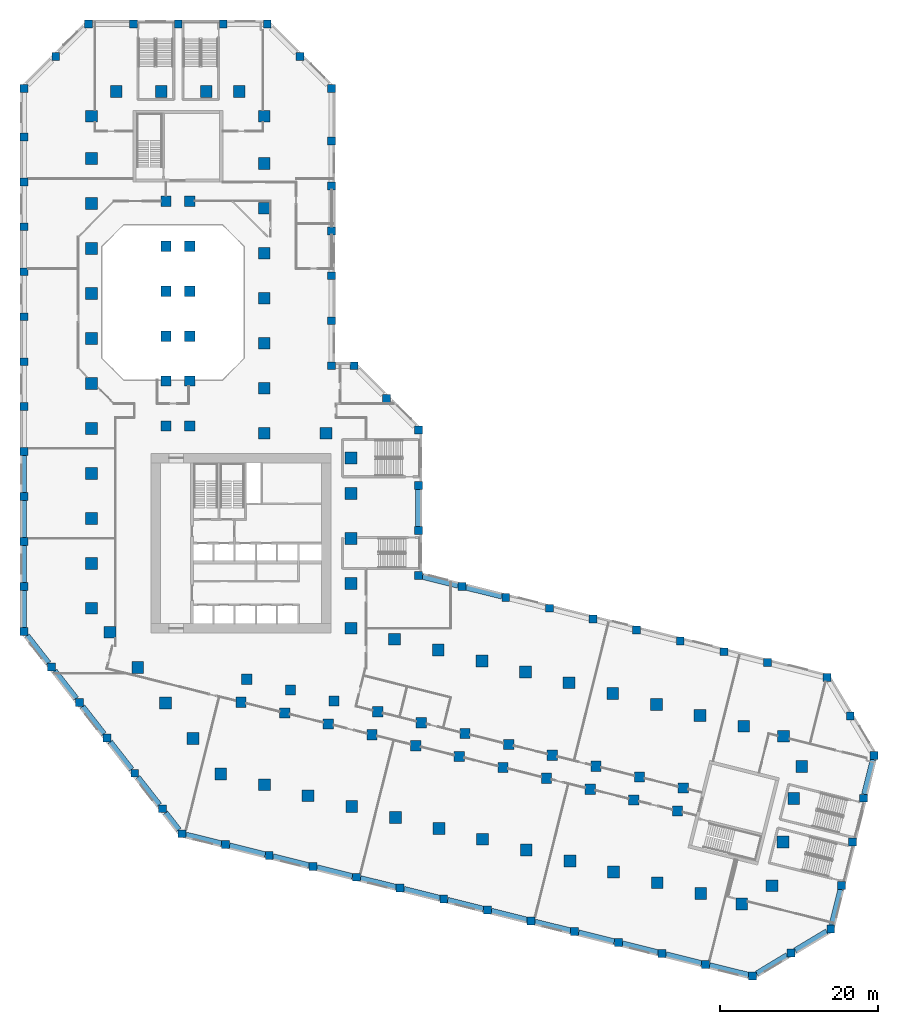
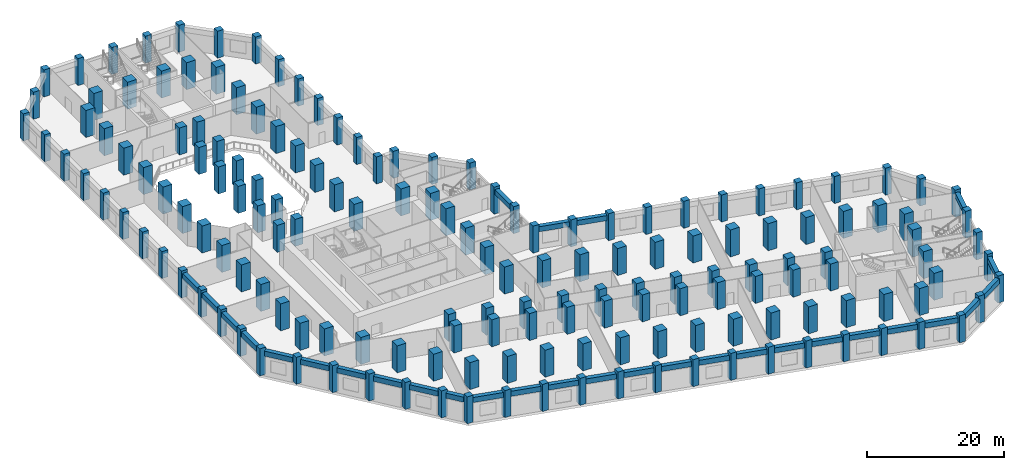
# One storey, part 1 of 16: 163 columns, 30 beams.
"""IFC4 building model written with IfcOpenShell, lengths in metres."""

import ifcopenshell
import ifcopenshell.guid

model = None  # the IFC model being written
_history = None  # IfcOwnerHistory: only IFC2X3 demands one
_inside = {}  # id of a spatial element -> (the spatial element, [elements in it])
_under = {}  # id of a project, library or spatial element -> (it, [spatial elements below it])
_declared = {}  # id of a project -> (the project, [libraries it declares])
_typed = {}  # id of a type object -> (the type object, [elements of that type])
_made_of = {}  # id of a material, layer set ... -> (it, [elements and type objects made of it])


def new_model(schema):
    """Start an empty IFC model of exactly this schema.

    Asked for "IFC4X3", IfcOpenShell would pick the latest addendum, in which some entities
    have other attributes; the version numbers below select the first issue.
    IFC2X3 requires an IfcOwnerHistory on every rooted entity: one is made here for all.
    """
    global model, _history
    if schema == "IFC4X3":
        model = ifcopenshell.file(schema_version=(4, 3, 0, 0))
    else:
        model = ifcopenshell.file(schema=schema)
    _inside.clear()
    _under.clear()
    _declared.clear()
    _typed.clear()
    _made_of.clear()
    _history = None
    if model.schema == "IFC2X3":
        org = make("IfcOrganization", Name="unknown")
        user = make(
            "IfcPersonAndOrganization",
            ThePerson=make("IfcPerson", FamilyName="unknown"),
            TheOrganization=org,
        )
        app = make(
            "IfcApplication",
            ApplicationDeveloper=org,
            Version="unknown",
            ApplicationFullName="unknown",
            ApplicationIdentifier="unknown",
        )
        _history = make(
            "IfcOwnerHistory",
            OwningUser=user,
            OwningApplication=app,
            ChangeAction="ADDED",
            CreationDate=0,
        )
    return model


def make(cls, **values):
    """One entity of the class cls with the attributes given. An attribute that is None is left unset."""
    return model.create_entity(
        cls, **{name: value for name, value in values.items() if value is not None}
    )


def rooted(cls, **values):
    """An entity with a GlobalId (a new one), such as an element, a storey or a relation."""
    return make(cls, GlobalId=ifcopenshell.guid.new(), OwnerHistory=_history, **values)


def si_unit(unit_type, name, prefix=None):
    """IfcSIUnit, for example si_unit("LENGTHUNIT", "METRE", prefix="MILLI")."""
    return make("IfcSIUnit", UnitType=unit_type, Prefix=prefix, Name=name)


def assignment(units):
    """IfcUnitAssignment: the units of a project."""
    return None if units is None else make("IfcUnitAssignment", Units=units)


def point(xyz):
    """IfcCartesianPoint."""
    return None if xyz is None else make("IfcCartesianPoint", Coordinates=xyz)


def direction(xyz):
    """IfcDirection."""
    return None if xyz is None else make("IfcDirection", DirectionRatios=xyz)


def frame(location, z_axis=None, x_axis=None):
    """IfcAxis2Placement3D, a coordinate frame: its origin and axes. An axis left out is left unset."""
    return make(
        "IfcAxis2Placement3D",
        Location=point(location),
        Axis=direction(z_axis),
        RefDirection=direction(x_axis),
    )


def frame_2d(location, x_axis=None):
    """IfcAxis2Placement2D, a coordinate frame in the plane: its origin and x axis."""
    return make(
        "IfcAxis2Placement2D", Location=point(location), RefDirection=direction(x_axis)
    )


def origin():
    """The frame at (0, 0, 0) with its axes left unset."""
    return frame((0.0, 0.0, 0.0))


def origin_2d():
    """The frame at (0, 0) in the plane with its x axis left unset."""
    return frame_2d((0.0, 0.0))


def place(relative_to, where):
    """IfcLocalPlacement: puts the frame where relative to a parent placement (None: the world)."""
    return make(
        "IfcLocalPlacement", PlacementRelTo=relative_to, RelativePlacement=where
    )


def context(
    kind, dimensions, precision=None, world=None, true_north=None, identifier=None
):
    """IfcGeometricRepresentationContext, for example the 3D "Model" context."""
    return make(
        "IfcGeometricRepresentationContext",
        ContextIdentifier=identifier,
        ContextType=kind,
        CoordinateSpaceDimension=dimensions,
        Precision=precision,
        WorldCoordinateSystem=world,
        TrueNorth=true_north,
    )


def subcontext(parent, identifier, kind, view, scale=None):
    """IfcGeometricRepresentationSubContext, for example "Body" below "Model"."""
    return make(
        "IfcGeometricRepresentationSubContext",
        ContextIdentifier=identifier,
        ContextType=kind,
        ParentContext=parent,
        TargetScale=scale,
        TargetView=view,
    )


def project(units=None, contexts=None):
    """IfcProject with its units and contexts."""
    return rooted(
        "IfcProject",
        Name="project",
        RepresentationContexts=contexts,
        UnitsInContext=assignment(units),
    )


def spatial(cls, under=None, at=None, **own):
    """A site, building, storey or space (cls), placed at a placement, below another one or the project."""
    s = rooted(cls, ObjectPlacement=at, **own)
    if under is not None:
        _under.setdefault(under.id(), (under, []))[1].append(s)
    return s


def profile(cls, at=None, kind="AREA", **sizes):
    """A parametric profile (cls). Its sizes go by their IFC names, for example OverallWidth=200.0."""
    return make(cls, ProfileType=kind, Position=at, **sizes)


def rectangle(**sizes):
    """IfcRectangleProfileDef."""
    return profile("IfcRectangleProfileDef", **sizes)


def extrude(swept, where, along, depth):
    """IfcExtrudedAreaSolid: the profile swept, set in the frame where, extruded along a direction by depth."""
    return make(
        "IfcExtrudedAreaSolid",
        SweptArea=swept,
        Position=where,
        ExtrudedDirection=direction(along),
        Depth=depth,
    )


def shape(context_of_items, identifier, shape_type, items):
    """IfcShapeRepresentation: the items that make up one representation, for example the "Body"."""
    return make(
        "IfcShapeRepresentation",
        ContextOfItems=context_of_items,
        RepresentationIdentifier=identifier,
        RepresentationType=shape_type,
        Items=items,
    )


def material(Name=None, Category=None):
    """IfcMaterial."""
    return make("IfcMaterial", Name=Name, Category=Category)


def material_profile(
    of_material, cross_section, Name=None, Category=None, Priority=None
):
    """IfcMaterialProfile: a cross section and its material."""
    return make(
        "IfcMaterialProfile",
        Name=Name,
        Material=of_material,
        Profile=cross_section,
        Priority=Priority,
        Category=Category,
    )


def profile_set(profiles, Name=None, composite=None):
    """IfcMaterialProfileSet."""
    return make(
        "IfcMaterialProfileSet",
        Name=Name,
        MaterialProfiles=profiles,
        CompositeProfile=composite,
    )


def made_of(thing, what):
    """Note that an element or type object is made of a material, layer set ...; save() writes the relation."""
    if what is not None:
        _made_of.setdefault(what.id(), (what, []))[1].append(thing)
    return thing


def type_object(cls, material=None, **own):
    """A type object (cls), such as IfcWallType, which elements share."""
    return made_of(rooted(cls, **own), material)


def element(
    cls,
    number,
    at=None,
    inside=None,
    cuts=None,
    type_object=None,
    material=None,
    context=None,
    identifier="Body",
    shape_type=None,
    held_by="IfcProductDefinitionShape",
    body=None,
    shapes=None,
    **own,
):
    """One element of the class cls, such as IfcWall. Its Tag is "e" and its number.

    at: its placement. inside: the storey or other place that contains it. cuts: it is an
    opening in that element (IfcRelVoidsElement). A single representation is given by context,
    identifier, shape_type and body (its items); several are given by shapes. held_by: the class
    of the entity that holds the representations. save() writes the other relations.
    """
    e = rooted(cls, Tag="e%d" % number, ObjectPlacement=at, **own)
    if body is not None:
        shapes = [shape(context, identifier, shape_type, body)]
    if shapes is not None:
        e.Representation = make(held_by, Representations=shapes)
    if inside is not None:
        _inside.setdefault(inside.id(), (inside, []))[1].append(e)
    if cuts is not None:
        rooted(
            "IfcRelVoidsElement", RelatingBuildingElement=cuts, RelatedOpeningElement=e
        )
    if type_object is not None:
        _typed.setdefault(type_object.id(), (type_object, []))[1].append(e)
    return made_of(e, material)


def aggregate(whole, parts):
    """IfcRelAggregates: a whole, such as a stair, and the parts it consists of."""
    return rooted("IfcRelAggregates", RelatingObject=whole, RelatedObjects=parts)


def save(model, path):
    """Write the relations noted so far, then the file.

    IfcRelAggregates (storeys below a building ...), IfcRelContainedInSpatialStructure (elements
    in a storey), IfcRelDefinesByType, IfcRelAssociatesMaterial and IfcRelDeclares: one each for
    every whole, place, type object, material and project.
    """
    for whole, parts in _under.values():
        aggregate(whole, parts)
    for where, things in _inside.values():
        rooted(
            "IfcRelContainedInSpatialStructure",
            RelatedElements=things,
            RelatingStructure=where,
        )
    for kind, things in _typed.values():
        rooted("IfcRelDefinesByType", RelatedObjects=things, RelatingType=kind)
    for what, things in _made_of.values():
        rooted("IfcRelAssociatesMaterial", RelatedObjects=things, RelatingMaterial=what)
    for by, libraries in _declared.values():
        rooted("IfcRelDeclares", RelatingContext=by, RelatedDefinitions=libraries)
    model.write(path)


model = new_model("IFC4")

# Units and contexts
model_context = context("Model", 3, precision=1e-05, world=origin(), true_north=direction((0.0, 1.0)))
body_context = subcontext(model_context, "Body", "Model", "MODEL_VIEW")
ifc_project = project(units=[si_unit("LENGTHUNIT", "METRE"), si_unit("AREAUNIT", "SQUARE_METRE"), si_unit("VOLUMEUNIT", "CUBIC_METRE"), si_unit("PLANEANGLEUNIT", "RADIAN"), si_unit("MASSUNIT", "GRAM", prefix="KILO")], contexts=[model_context])

# Site, building, storey
site_placement = place(None, origin())
site = spatial("IfcSite", under=ifc_project, at=site_placement, CompositionType="ELEMENT")
building_placement = place(site_placement, origin())
building = spatial("IfcBuilding", under=site, at=building_placement, Name="Meshkara Civic Tower", CompositionType="ELEMENT")
storey_placement = place(building_placement, frame((0.0, 0.0, 18.60009765625)))
storey = spatial("IfcBuildingStorey", under=building, at=storey_placement, Name="L03", CompositionType="ELEMENT", Elevation=18.60009765625)

# Columns
ifc_material_1 = material(Name="Concrete C80", Category="concrete")
ifc_material_profile_1 = material_profile(ifc_material_1, rectangle(XDim=1.300048828125, YDim=1.300048828125, at=origin_2d()))
ifc_profile_set_1 = profile_set([ifc_material_profile_1], Name="Concrete C80")
column_type_1 = type_object("IfcColumnType", Name="Interior column RC 1300x1300 C80", PredefinedType="COLUMN", material=ifc_profile_set_1)
for number, where, z_axis, x_axis, name in (
    (1, (9.89990234375, 40.35009765625, 0.0), (0.0, 0.0, 1.0), (1.0, 0.0, 0.0), "Column SA1-04 L03"),
    (2, (9.89990234375, 46.050048828125, 0.0), (0.0, 0.0, 1.0), (1.0, 0.0, 0.0), "Column SA1-05 L03"),
    (3, (9.89990234375, 51.75, 0.0), (0.0, 0.0, 1.0), (1.0, 0.0, 0.0), "Column SA1-06 L03"),
    (4, (9.89990234375, 57.449951171875, 0.0), (0.0, 0.0, 1.0), (1.0, 0.0, 0.0), "Column SA1-07 L03"),
    (5, (9.89990234375, 63.14990234375, 0.0), (0.0, 0.0, 1.0), (1.0, 0.0, 0.0), "Column SA1-08 L03"),
    (6, (9.89990234375, 68.85009765625, 0.0), (0.0, 0.0, 1.0), (1.0, 0.0, 0.0), "Column SA1-09 L03"),
    (7, (12.89990234375, 40.35009765625, 0.0), (0.0, 0.0, 1.0), (1.0, 0.0, 0.0), "Column SA2-04 L03"),
    (8, (12.89990234375, 46.050048828125, 0.0), (0.0, 0.0, 1.0), (1.0, 0.0, 0.0), "Column SA2-05 L03"),
    (9, (12.89990234375, 51.75, 0.0), (0.0, 0.0, 1.0), (1.0, 0.0, 0.0), "Column SA2-06 L03"),
    (10, (12.89990234375, 57.449951171875, 0.0), (0.0, 0.0, 1.0), (1.0, 0.0, 0.0), "Column SA2-07 L03"),
    (11, (12.89990234375, 63.14990234375, 0.0), (0.0, 0.0, 1.0), (1.0, 0.0, 0.0), "Column SA2-08 L03"),
    (12, (12.89990234375, 68.85009765625, 0.0), (0.0, 0.0, 1.0), (1.0, 0.0, 0.0), "Column SA2-09 L03"),
    (13, (19.424072265625, 5.360107421875, 0.0), (0.0, 0.0, 1.0), (1.0, 0.0, 0.0), "Column SB1-00 L03"),
    (14, (24.9541015625, 3.98095703125, 0.0), (0.0, 0.0, 1.0), (1.0, 0.0, 0.0), "Column SB1-01 L03"),
    (15, (30.485107421875, 2.60205078125, 0.0), (0.0, 0.0, 1.0), (1.0, 0.0, 0.0), "Column SB1-02 L03"),
    (16, (36.01611328125, 1.222900390625, 0.0), (0.0, 0.0, 1.0), (1.0, 0.0, 0.0), "Column SB1-03 L03"),
    (17, (41.5458984375, -0.156005859375, 0.0), (0.0, 0.0, 1.0), (1.0, 0.0, 0.0), "Column SB1-04 L03"),
    (18, (47.076904296875, -1.534912109375, 0.0), (0.0, 0.0, 1.0), (1.0, 0.0, 0.0), "Column SB1-05 L03"),
    (19, (52.60791015625, -2.9140625, 0.0), (0.0, 0.0, 1.0), (1.0, 0.0, 0.0), "Column SB1-06 L03"),
    (20, (58.138916015625, -4.2919921875, 0.0), (0.0, 0.0, 1.0), (1.0, 0.0, 0.0), "Column SB1-07 L03"),
    (21, (63.6689453125, -5.6708984375, 0.0), (0.0, 0.0, 1.0), (1.0, 0.0, 0.0), "Column SB1-08 L03"),
    (22, (69.199951171875, -7.050048828125, 0.0), (0.0, 0.0, 1.0), (1.0, 0.0, 0.0), "Column SB1-09 L03"),
    (23, (74.73095703125, -8.428955078125, 0.0), (0.0, 0.0, 1.0), (1.0, 0.0, 0.0), "Column SB1-10 L03"),
    (24, (20.14892578125, 8.27099609375, 0.0), (0.0, 0.0, 1.0), (1.0, 0.0, 0.0), "Column SB2-00 L03"),
    (25, (25.679931640625, 6.89208984375, 0.0), (0.0, 0.0, 1.0), (1.0, 0.0, 0.0), "Column SB2-01 L03"),
    (26, (31.2109375, 5.512939453125, 0.0), (0.0, 0.0, 1.0), (1.0, 0.0, 0.0), "Column SB2-02 L03"),
    (27, (36.741943359375, 4.134033203125, 0.0), (0.0, 0.0, 1.0), (1.0, 0.0, 0.0), "Column SB2-03 L03"),
    (28, (42.27197265625, 2.7548828125, 0.0), (0.0, 0.0, 1.0), (1.0, 0.0, 0.0), "Column SB2-04 L03"),
    (29, (47.802978515625, 1.3759765625, 0.0), (0.0, 0.0, 1.0), (1.0, 0.0, 0.0), "Column SB2-05 L03"),
    (30, (53.333984375, -0.0029296875, 0.0), (0.0, 0.0, 1.0), (1.0, 0.0, 0.0), "Column SB2-06 L03"),
    (31, (58.864013671875, -1.382080078125, 0.0), (0.0, 0.0, 1.0), (1.0, 0.0, 0.0), "Column SB2-07 L03"),
    (32, (64.39501953125, -2.760986328125, 0.0), (0.0, 0.0, 1.0), (1.0, 0.0, 0.0), "Column SB2-08 L03"),
    (33, (69.926025390625, -4.139892578125, 0.0), (0.0, 0.0, 1.0), (1.0, 0.0, 0.0), "Column SB2-09 L03"),
    (34, (75.4560546875, -5.51806640625, 0.0), (0.0, 0.0, 1.0), (1.0, 0.0, 0.0), "Column SB2-10 L03"),
):
    element("IfcColumn", number, at=place(storey_placement, frame(where, z_axis=z_axis, x_axis=x_axis)), inside=storey, type_object=column_type_1, Name=name, PredefinedType="COLUMN", context=body_context, shape_type="SweptSolid", body=[
        extrude(rectangle(XDim=1.300048828125, YDim=1.300048828125, at=origin_2d()), origin(), (0.0, 0.0, 1.0), 4.7998046875),
    ])
ifc_material_2 = material(Name="Concrete C80", Category="concrete")
ifc_material_profile_2 = material_profile(ifc_material_2, rectangle(XDim=1.5, YDim=1.5, at=origin_2d()))
ifc_profile_set_2 = profile_set([ifc_material_profile_2], Name="Concrete C80")
column_type_2 = type_object("IfcColumnType", Name="Perimeter column RC 1500x1500 C80", PredefinedType="COLUMN", material=ifc_profile_set_2)
for number, where, z_axis, x_axis, name in (
    (35, (33.35009765625, 14.718994140625, 0.0), (0.0, 0.0, 1.0), (1.0, 0.0, 0.0), "Column HE00 L03"),
    (36, (33.35009765625, 20.4189453125, 0.0), (0.0, 0.0, 1.0), (1.0, 0.0, 0.0), "Column HE01 L03"),
    (37, (33.35009765625, 26.118896484375, 0.0), (0.0, 0.0, 1.0), (1.0, 0.0, 0.0), "Column HE02 L03"),
    (38, (33.35009765625, 31.819091796875, 0.0), (0.0, 0.0, 1.0), (1.0, 0.0, 0.0), "Column HE03 L03"),
    (39, (33.35009765625, 36.2939453125, 0.0), (0.0, 0.0, 1.0), (1.0, 0.0, 0.0), "Column HEE L03"),
    (40, (30.194091796875, 39.449951171875, 0.0), (0.0, 0.0, 1.0), (1.0, 0.0, 0.0), "Column HCeE L03"),
    (41, (22.35009765625, 39.449951171875, 0.0), (0.0, 0.0, 1.0), (1.0, 0.0, 0.0), "Column HN00 L03"),
    (42, (22.35009765625, 45.14990234375, 0.0), (0.0, 0.0, 1.0), (1.0, 0.0, 0.0), "Column AE01 L03"),
    (43, (22.35009765625, 50.85009765625, 0.0), (0.0, 0.0, 1.0), (1.0, 0.0, 0.0), "Column AE02 L03"),
    (44, (22.35009765625, 56.550048828125, 0.0), (0.0, 0.0, 1.0), (1.0, 0.0, 0.0), "Column AE03 L03"),
    (45, (22.35009765625, 62.25, 0.0), (0.0, 0.0, 1.0), (1.0, 0.0, 0.0), "Column AE04 L03"),
    (46, (22.35009765625, 67.949951171875, 0.0), (0.0, 0.0, 1.0), (1.0, 0.0, 0.0), "Column AE05 L03"),
    (47, (22.35009765625, 73.64990234375, 0.0), (0.0, 0.0, 1.0), (1.0, 0.0, 0.0), "Column AE06 L03"),
    (48, (22.35009765625, 79.614013671875, 0.0), (0.0, 0.0, 1.0), (1.0, 0.0, 0.0), "Column AEE L03"),
    (49, (19.194091796875, 82.77001953125, 0.0), (0.0, 0.0, 1.0), (1.0, 0.0, 0.0), "Column ATiE L03"),
    (50, (3.60595703125, 82.77001953125, 0.0), (0.0, 0.0, 1.0), (1.0, 0.0, 0.0), "Column AT00 L03"),
    (51, (9.305908203125, 82.77001953125, 0.0), (0.0, 0.0, 1.0), (1.0, 0.0, 0.0), "Column AT01 L03"),
    (52, (15.006103515625, 82.77001953125, 0.0), (0.0, 0.0, 1.0), (1.0, 0.0, 0.0), "Column AT02 L03"),
    (53, (0.449951171875, 79.614013671875, 0.0), (0.0, 0.0, 1.0), (1.0, 0.0, 0.0), "Column ATo00 L03"),
    (54, (0.449951171875, 17.2548828125, 0.0), (0.0, 0.0, 1.0), (1.0, 0.0, 0.0), "Column AW00 L03"),
    (55, (0.449951171875, 22.955078125, 0.0), (0.0, 0.0, 1.0), (1.0, 0.0, 0.0), "Column AW01 L03"),
    (56, (0.449951171875, 28.655029296875, 0.0), (0.0, 0.0, 1.0), (1.0, 0.0, 0.0), "Column AW02 L03"),
    (57, (0.449951171875, 34.35498046875, 0.0), (0.0, 0.0, 1.0), (1.0, 0.0, 0.0), "Column AW03 L03"),
    (58, (0.449951171875, 40.054931640625, 0.0), (0.0, 0.0, 1.0), (1.0, 0.0, 0.0), "Column AW04 L03"),
    (59, (0.449951171875, 45.7548828125, 0.0), (0.0, 0.0, 1.0), (1.0, 0.0, 0.0), "Column AW05 L03"),
    (60, (0.449951171875, 51.455078125, 0.0), (0.0, 0.0, 1.0), (1.0, 0.0, 0.0), "Column AW06 L03"),
    (61, (0.449951171875, 57.155029296875, 0.0), (0.0, 0.0, 1.0), (1.0, 0.0, 0.0), "Column AW07 L03"),
    (62, (0.449951171875, 62.85498046875, 0.0), (0.0, 0.0, 1.0), (1.0, 0.0, 0.0), "Column AW08 L03"),
    (63, (0.449951171875, 68.554931640625, 0.0), (0.0, 0.0, 1.0), (1.0, 0.0, 0.0), "Column AW09 L03"),
    (64, (0.449951171875, 74.2548828125, 0.0), (0.0, 0.0, 1.0), (1.0, 0.0, 0.0), "Column AW10 L03"),
    (65, (16.85107421875, -3.738037109375, 0.0), (0.0, 0.0, 1.0), (1.0, 0.0, 0.0), "Column BOW00 L03"),
    (66, (13.342041015625, 0.75390625, 0.0), (0.0, 0.0, 1.0), (1.0, 0.0, 0.0), "Column BOW01 L03"),
    (67, (9.8330078125, 5.2451171875, 0.0), (0.0, 0.0, 1.0), (1.0, 0.0, 0.0), "Column BOW02 L03"),
    (68, (6.322998046875, 9.737060546875, 0.0), (0.0, 0.0, 1.0), (1.0, 0.0, 0.0), "Column BOW03 L03"),
    (69, (2.81396484375, 14.22900390625, 0.0), (0.0, 0.0, 1.0), (1.0, 0.0, 0.0), "Column BOW04 L03"),
    (70, (22.382080078125, -5.116943359375, 0.0), (0.0, 0.0, 1.0), (1.0, 0.0, 0.0), "Column BS01 L03"),
    (71, (27.912109375, -6.49609375, 0.0), (0.0, 0.0, 1.0), (1.0, 0.0, 0.0), "Column BS02 L03"),
    (72, (33.443115234375, -7.875, 0.0), (0.0, 0.0, 1.0), (1.0, 0.0, 0.0), "Column BS03 L03"),
    (73, (38.97412109375, -9.25390625, 0.0), (0.0, 0.0, 1.0), (1.0, 0.0, 0.0), "Column BS04 L03"),
    (74, (44.5048828125, -10.632080078125, 0.0), (0.0, 0.0, 1.0), (1.0, 0.0, 0.0), "Column BS05 L03"),
    (75, (50.034912109375, -12.010986328125, 0.0), (0.0, 0.0, 1.0), (1.0, 0.0, 0.0), "Column BS06 L03"),
    (76, (55.56591796875, -13.389892578125, 0.0), (0.0, 0.0, 1.0), (1.0, 0.0, 0.0), "Column BS07 L03"),
    (77, (61.096923828125, -14.76904296875, 0.0), (0.0, 0.0, 1.0), (1.0, 0.0, 0.0), "Column BS08 L03"),
    (78, (66.626953125, -16.14794921875, 0.0), (0.0, 0.0, 1.0), (1.0, 0.0, 0.0), "Column BS09 L03"),
    (79, (72.157958984375, -17.527099609375, 0.0), (0.0, 0.0, 1.0), (1.0, 0.0, 0.0), "Column BS10 L03"),
    (80, (77.68896484375, -18.906005859375, 0.0), (0.0, 0.0, 1.0), (1.0, 0.0, 0.0), "Column BS11 L03"),
    (81, (82.887939453125, -20.201904296875, 0.0), (0.0, 0.0, 1.0), (1.0, 0.0, 0.0), "Column BSE L03"),
    (82, (86.714111328125, -17.903076171875, 0.0), (0.0, 0.0, 1.0), (1.0, 0.0, 0.0), "Column BToE L03"),
    (83, (88.093017578125, -12.3720703125, 0.0), (0.0, 0.0, 1.0), (1.0, 0.0, 0.0), "Column BT01 L03"),
    (84, (89.471923828125, -6.842041015625, 0.0), (0.0, 0.0, 1.0), (1.0, 0.0, 0.0), "Column BT02 L03"),
    (85, (90.485107421875, -2.779052734375, 0.0), (0.0, 0.0, 1.0), (1.0, 0.0, 0.0), "Column BTE L03"),
    (86, (88.18603515625, 1.0458984375, 0.0), (0.0, 0.0, 1.0), (1.0, 0.0, 0.0), "Column BTi00 L03"),
    (87, (38.881103515625, 13.340087890625, 0.0), (0.0, 0.0, 1.0), (1.0, 0.0, 0.0), "Column BN01 L03"),
    (88, (44.410888671875, 11.9609375, 0.0), (0.0, 0.0, 1.0), (1.0, 0.0, 0.0), "Column BN02 L03"),
    (89, (49.94189453125, 10.58203125, 0.0), (0.0, 0.0, 1.0), (1.0, 0.0, 0.0), "Column BN03 L03"),
    (90, (55.472900390625, 9.202880859375, 0.0), (0.0, 0.0, 1.0), (1.0, 0.0, 0.0), "Column BN04 L03"),
    (91, (61.0029296875, 7.823974609375, 0.0), (0.0, 0.0, 1.0), (1.0, 0.0, 0.0), "Column BN05 L03"),
    (92, (66.533935546875, 6.445068359375, 0.0), (0.0, 0.0, 1.0), (1.0, 0.0, 0.0), "Column BN06 L03"),
    (93, (72.06494140625, 5.06591796875, 0.0), (0.0, 0.0, 1.0), (1.0, 0.0, 0.0), "Column BN07 L03"),
    (94, (77.594970703125, 3.68701171875, 0.0), (0.0, 0.0, 1.0), (1.0, 0.0, 0.0), "Column BN08 L03"),
    (95, (83.1259765625, 2.30810546875, 0.0), (0.0, 0.0, 1.0), (1.0, 0.0, 0.0), "Column BN09 L03"),
):
    element("IfcColumn", number, at=place(storey_placement, frame(where, z_axis=z_axis, x_axis=x_axis)), inside=storey, type_object=column_type_2, Name=name, PredefinedType="COLUMN", context=body_context, shape_type="SweptSolid", body=[
        extrude(rectangle(XDim=1.5, YDim=1.5, at=origin_2d()), origin(), (0.0, 0.0, 1.0), 4.7998046875),
    ])
ifc_material_3 = material(Name="Concrete C60", Category="concrete")
ifc_material_profile_3 = material_profile(ifc_material_3, rectangle(XDim=1.0, YDim=1.0, at=origin_2d()))
ifc_profile_set_3 = profile_set([ifc_material_profile_3], Name="Concrete C60")
column_type_3 = type_object("IfcColumnType", Name="Podium edge column RC 1000x1000 C60", PredefinedType="COLUMN", material=ifc_profile_set_3)
for number, where, z_axis, x_axis, name in (
    (96, (0.06396484375, 91.320068359375, 0.0), (0.0, 0.0, 1.0), (1.0, 0.0, 0.0), "Column PD00-00 L03"),
    (97, (5.763916015625, 91.320068359375, 0.0), (0.0, 0.0, 1.0), (1.0, 0.0, 0.0), "Column PD00-01 L03"),
    (98, (11.464111328125, 91.320068359375, 0.0), (0.0, 0.0, 1.0), (1.0, 0.0, 0.0), "Column PD00-02 L03"),
    (99, (17.1640625, 91.320068359375, 0.0), (0.0, 0.0, 1.0), (1.0, 0.0, 0.0), "Column PD00-03 L03"),
    (100, (22.736083984375, 91.320068359375, 0.0), (0.0, 0.0, 1.0), (1.0, 0.0, 0.0), "Column PD00-E L03"),
    (101, (-8.10009765625, 83.156005859375, 0.0), (0.0, 0.0, 1.0), (1.0, 0.0, 0.0), "Column PD01-00 L03"),
    (102, (-4.069091796875, 87.18701171875, 0.0), (0.0, 0.0, 1.0), (1.0, 0.0, 0.0), "Column PD01-01 L03"),
    (103, (-8.10009765625, 14.31103515625, 0.0), (0.0, 0.0, 1.0), (1.0, 0.0, 0.0), "Column PD02-00 L03"),
    (104, (-8.10009765625, 20.010986328125, 0.0), (0.0, 0.0, 1.0), (1.0, 0.0, 0.0), "Column PD02-01 L03"),
    (105, (-8.10009765625, 25.7109375, 0.0), (0.0, 0.0, 1.0), (1.0, 0.0, 0.0), "Column PD02-02 L03"),
    (106, (-8.10009765625, 31.410888671875, 0.0), (0.0, 0.0, 1.0), (1.0, 0.0, 0.0), "Column PD02-03 L03"),
    (107, (-8.10009765625, 37.111083984375, 0.0), (0.0, 0.0, 1.0), (1.0, 0.0, 0.0), "Column PD02-04 L03"),
    (108, (-8.10009765625, 42.81103515625, 0.0), (0.0, 0.0, 1.0), (1.0, 0.0, 0.0), "Column PD02-05 L03"),
    (109, (-8.10009765625, 48.510986328125, 0.0), (0.0, 0.0, 1.0), (1.0, 0.0, 0.0), "Column PD02-06 L03"),
    (110, (-8.10009765625, 54.2109375, 0.0), (0.0, 0.0, 1.0), (1.0, 0.0, 0.0), "Column PD02-07 L03"),
    (111, (-8.10009765625, 59.910888671875, 0.0), (0.0, 0.0, 1.0), (1.0, 0.0, 0.0), "Column PD02-08 L03"),
    (112, (-8.10009765625, 65.611083984375, 0.0), (0.0, 0.0, 1.0), (1.0, 0.0, 0.0), "Column PD02-09 L03"),
    (113, (-8.10009765625, 71.31103515625, 0.0), (0.0, 0.0, 1.0), (1.0, 0.0, 0.0), "Column PD02-10 L03"),
    (114, (-8.10009765625, 77.010986328125, 0.0), (0.0, 0.0, 1.0), (1.0, 0.0, 0.0), "Column PD02-11 L03"),
    (115, (-4.591064453125, 9.819091796875, 0.0), (0.0, 0.0, 1.0), (1.0, 0.0, 0.0), "Column PD03-01 L03"),
    (116, (-1.08203125, 5.327880859375, 0.0), (0.0, 0.0, 1.0), (1.0, 0.0, 0.0), "Column PD03-02 L03"),
    (117, (2.427978515625, 0.8359375, 0.0), (0.0, 0.0, 1.0), (1.0, 0.0, 0.0), "Column PD03-03 L03"),
    (118, (5.93701171875, -3.656005859375, 0.0), (0.0, 0.0, 1.0), (1.0, 0.0, 0.0), "Column PD03-04 L03"),
    (119, (9.446044921875, -8.14794921875, 0.0), (0.0, 0.0, 1.0), (1.0, 0.0, 0.0), "Column PD03-05 L03"),
    (120, (11.926025390625, -11.322021484375, 0.0), (0.0, 0.0, 1.0), (1.0, 0.0, 0.0), "Column PD03-E L03"),
    (121, (17.45703125, -12.700927734375, 0.0), (0.0, 0.0, 1.0), (1.0, 0.0, 0.0), "Column PD04-01 L03"),
    (122, (22.987060546875, -14.080078125, 0.0), (0.0, 0.0, 1.0), (1.0, 0.0, 0.0), "Column PD04-02 L03"),
    (123, (28.51806640625, -15.458984375, 0.0), (0.0, 0.0, 1.0), (1.0, 0.0, 0.0), "Column PD04-03 L03"),
    (124, (34.049072265625, -16.837890625, 0.0), (0.0, 0.0, 1.0), (1.0, 0.0, 0.0), "Column PD04-04 L03"),
    (125, (39.580078125, -18.216064453125, 0.0), (0.0, 0.0, 1.0), (1.0, 0.0, 0.0), "Column PD04-05 L03"),
    (126, (45.110107421875, -19.594970703125, 0.0), (0.0, 0.0, 1.0), (1.0, 0.0, 0.0), "Column PD04-06 L03"),
    (127, (50.64111328125, -20.97412109375, 0.0), (0.0, 0.0, 1.0), (1.0, 0.0, 0.0), "Column PD04-07 L03"),
    (128, (56.172119140625, -22.35302734375, 0.0), (0.0, 0.0, 1.0), (1.0, 0.0, 0.0), "Column PD04-08 L03"),
    (129, (61.701904296875, -23.73193359375, 0.0), (0.0, 0.0, 1.0), (1.0, 0.0, 0.0), "Column PD04-09 L03"),
    (130, (67.23291015625, -25.111083984375, 0.0), (0.0, 0.0, 1.0), (1.0, 0.0, 0.0), "Column PD04-10 L03"),
    (131, (72.763916015625, -26.489990234375, 0.0), (0.0, 0.0, 1.0), (1.0, 0.0, 0.0), "Column PD04-11 L03"),
    (132, (78.2939453125, -27.868896484375, 0.0), (0.0, 0.0, 1.0), (1.0, 0.0, 0.0), "Column PD04-12 L03"),
    (133, (84.256103515625, -29.35498046875, 0.0), (0.0, 0.0, 1.0), (1.0, 0.0, 0.0), "Column PD04-E L03"),
    (134, (89.14208984375, -26.4189453125, 0.0), (0.0, 0.0, 1.0), (1.0, 0.0, 0.0), "Column PD05-01 L03"),
    (135, (94.153076171875, -23.407958984375, 0.0), (0.0, 0.0, 1.0), (1.0, 0.0, 0.0), "Column PD05-E L03"),
    (136, (95.531982421875, -17.876953125, 0.0), (0.0, 0.0, 1.0), (1.0, 0.0, 0.0), "Column PD06-01 L03"),
    (137, (96.910888671875, -12.346923828125, 0.0), (0.0, 0.0, 1.0), (1.0, 0.0, 0.0), "Column PD06-02 L03"),
    (138, (98.2900390625, -6.81591796875, 0.0), (0.0, 0.0, 1.0), (1.0, 0.0, 0.0), "Column PD06-03 L03"),
    (139, (99.637939453125, -1.410888671875, 0.0), (0.0, 0.0, 1.0), (1.0, 0.0, 0.0), "Column PD06-E L03"),
    (140, (93.68994140625, 8.485107421875, 0.0), (0.0, 0.0, 1.0), (1.0, 0.0, 0.0), "Column PD07-00 L03"),
    (141, (96.6259765625, 3.60009765625, 0.0), (0.0, 0.0, 1.0), (1.0, 0.0, 0.0), "Column PD07-01 L03"),
    (142, (41.89990234375, 21.39892578125, 0.0), (0.0, 0.0, 1.0), (1.0, 0.0, 0.0), "Column PD08-00 L03"),
    (143, (47.430908203125, 20.02001953125, 0.0), (0.0, 0.0, 1.0), (1.0, 0.0, 0.0), "Column PD08-01 L03"),
    (144, (52.9609375, 18.64111328125, 0.0), (0.0, 0.0, 1.0), (1.0, 0.0, 0.0), "Column PD08-02 L03"),
    (145, (58.491943359375, 17.261962890625, 0.0), (0.0, 0.0, 1.0), (1.0, 0.0, 0.0), "Column PD08-03 L03"),
    (146, (64.02294921875, 15.883056640625, 0.0), (0.0, 0.0, 1.0), (1.0, 0.0, 0.0), "Column PD08-04 L03"),
    (147, (69.552978515625, 14.50390625, 0.0), (0.0, 0.0, 1.0), (1.0, 0.0, 0.0), "Column PD08-05 L03"),
    (148, (75.083984375, 13.1240234375, 0.0), (0.0, 0.0, 1.0), (1.0, 0.0, 0.0), "Column PD08-06 L03"),
    (149, (80.614990234375, 11.7451171875, 0.0), (0.0, 0.0, 1.0), (1.0, 0.0, 0.0), "Column PD08-07 L03"),
    (150, (86.14501953125, 10.365966796875, 0.0), (0.0, 0.0, 1.0), (1.0, 0.0, 0.0), "Column PD08-08 L03"),
    (151, (41.89990234375, 27.09912109375, 0.0), (0.0, 0.0, 1.0), (1.0, 0.0, 0.0), "Column PD09-01 L03"),
    (152, (41.89990234375, 32.799072265625, 0.0), (0.0, 0.0, 1.0), (1.0, 0.0, 0.0), "Column PD09-02 L03"),
    (153, (41.89990234375, 39.8359375, 0.0), (0.0, 0.0, 1.0), (1.0, 0.0, 0.0), "Column PD09-E L03"),
    (154, (37.868896484375, 43.866943359375, 0.0), (0.0, 0.0, 1.0), (1.0, 0.0, 0.0), "Column PD10-01 L03"),
    (155, (33.736083984375, 48.0, 0.0), (0.0, 0.0, 1.0), (1.0, 0.0, 0.0), "Column PD10-E L03"),
    (156, (30.89990234375, 48.0, 0.0), (0.0, 0.0, 1.0), (1.0, 0.0, 0.0), "Column PD11-00 L03"),
    (157, (30.89990234375, 53.699951171875, 0.0), (0.0, 0.0, 1.0), (1.0, 0.0, 0.0), "Column PD12-01 L03"),
    (158, (30.89990234375, 59.39990234375, 0.0), (0.0, 0.0, 1.0), (1.0, 0.0, 0.0), "Column PD12-02 L03"),
    (159, (30.89990234375, 65.10009765625, 0.0), (0.0, 0.0, 1.0), (1.0, 0.0, 0.0), "Column PD12-03 L03"),
    (160, (30.89990234375, 70.800048828125, 0.0), (0.0, 0.0, 1.0), (1.0, 0.0, 0.0), "Column PD12-04 L03"),
    (161, (30.89990234375, 76.5, 0.0), (0.0, 0.0, 1.0), (1.0, 0.0, 0.0), "Column PD12-05 L03"),
    (162, (30.89990234375, 83.156005859375, 0.0), (0.0, 0.0, 1.0), (1.0, 0.0, 0.0), "Column PD12-E L03"),
    (163, (26.868896484375, 87.18701171875, 0.0), (0.0, 0.0, 1.0), (1.0, 0.0, 0.0), "Column PD13-01 L03"),
):
    element("IfcColumn", number, at=place(storey_placement, frame(where, z_axis=z_axis, x_axis=x_axis)), inside=storey, type_object=column_type_3, Name=name, PredefinedType="COLUMN", context=body_context, shape_type="SweptSolid", body=[
        extrude(rectangle(XDim=1.0, YDim=1.0, at=origin_2d()), origin(), (0.0, 0.0, 1.0), 4.7998046875),
    ])

# Beams
ifc_material_4 = material(Name="Concrete C60", Category="concrete")
ifc_material_profile_4 = material_profile(ifc_material_4, rectangle(XDim=0.699951171875, YDim=0.89990234375, at=origin_2d()))
ifc_profile_set_4 = profile_set([ifc_material_profile_4], Name="Concrete C60")
beam_type = type_object("IfcBeamType", Name="Spandrel beam RC 700x900 C60", PredefinedType="BEAM", material=ifc_profile_set_4)
for number, where, z_axis, x_axis, name in (
    (164, (-8.10009765625, 36.615966796875, 3.89990234375), (0.0, -1.0, 0.0), (1.0, 0.0, 0.0), "Spandrel beam PD02-03-PD02-04"),
    (165, (-8.10009765625, 30.916015625, 3.89990234375), (0.0, -1.0, 0.0), (1.0, 0.0, 0.0), "Spandrel beam PD02-02-PD02-03"),
    (166, (-8.10009765625, 25.216064453125, 3.89990234375), (0.0, -1.0, 0.0), (1.0, 0.0, 0.0), "Spandrel beam PD02-01-PD02-02"),
):
    element("IfcBeam", number, at=place(storey_placement, frame(where, z_axis=z_axis, x_axis=x_axis)), inside=storey, type_object=beam_type, Name=name, PredefinedType="BEAM", context=body_context, shape_type="SweptSolid", body=[
        extrude(rectangle(XDim=0.699951171875, YDim=0.89990234375, at=origin_2d()), origin(), (0.0, 0.0, 1.0), 4.7099609375),
    ])
beam_1_placement = place(storey_placement, frame((-8.10009765625, 19.51611328125, 3.89990234375), z_axis=(0.0, -1.0, 0.0), x_axis=(1.0, 0.0, 0.0)))
element("IfcBeam", 167, at=beam_1_placement, inside=storey, type_object=beam_type, Name="Spandrel beam PD02-00-PD02-01", PredefinedType="BEAM", context=body_context, shape_type="SweptSolid", body=[
    extrude(rectangle(XDim=0.699951171875, YDim=0.89990234375, at=origin_2d()), origin(), (0.0, 0.0, 1.0), 4.710205078125),
])
beam_2_placement = place(storey_placement, frame((-7.71240234375, 13.81494140625, 3.89990234375), z_axis=(0.615602435322, -0.788056877151, 0.0), x_axis=(0.788056877151, 0.615602435322, 0.0)))
element("IfcBeam", 168, at=beam_2_placement, inside=storey, type_object=beam_type, Name="Spandrel beam PD02-00-PD03-01", PredefinedType="BEAM", context=body_context, shape_type="SweptSolid", body=[
    extrude(rectangle(XDim=0.699951171875, YDim=0.89990234375, at=origin_2d()), origin(), (0.0, 0.0, 1.0), 4.44091796875),
])
beam_3_placement = place(storey_placement, frame((-4.203369140625, 9.322998046875, 3.89990234375), z_axis=(0.615709126877, -0.787973521814, 0.0), x_axis=(0.787973521814, 0.615709126877, 0.0)))
element("IfcBeam", 169, at=beam_3_placement, inside=storey, type_object=beam_type, Name="Spandrel beam PD03-01-PD03-02", PredefinedType="BEAM", context=body_context, shape_type="SweptSolid", body=[
    extrude(rectangle(XDim=0.699951171875, YDim=0.89990234375, at=origin_2d()), origin(), (0.0, 0.0, 1.0), 4.440185546875),
])
beam_4_placement = place(storey_placement, frame((-0.6943359375, 4.831787109375, 3.89990234375), z_axis=(0.615704842432, -0.787976869588, 0.0), x_axis=(0.787976869588, 0.615704842432, 0.0)))
element("IfcBeam", 170, at=beam_4_placement, inside=storey, type_object=beam_type, Name="Spandrel beam PD03-02-PD03-03", PredefinedType="BEAM", context=body_context, shape_type="SweptSolid", body=[
    extrude(rectangle(XDim=0.699951171875, YDim=0.89990234375, at=origin_2d()), origin(), (0.0, 0.0, 1.0), 4.44140625),
])
for number, where, z_axis, x_axis, name in (
    (171, (2.8154296875, 0.33984375, 3.89990234375), (0.615636574491, -0.788030207637, 0.0), (0.788030207637, 0.615636574491, 0.0), "Spandrel beam PD03-03-PD03-04"),
    (172, (6.324462890625, -4.152099609375, 3.89990234375), (0.615636574491, -0.788030207637, 0.0), (0.788030207637, 0.615636574491, 0.0), "Spandrel beam PD03-04-PD03-05"),
):
    element("IfcBeam", number, at=place(storey_placement, frame(where, z_axis=z_axis, x_axis=x_axis)), inside=storey, type_object=beam_type, Name=name, PredefinedType="BEAM", context=body_context, shape_type="SweptSolid", body=[
        extrude(rectangle(XDim=0.699951171875, YDim=0.89990234375, at=origin_2d()), origin(), (0.0, 0.0, 1.0), 4.441162109375),
    ])
beam_5_placement = place(storey_placement, frame((9.83349609375, -8.64404296875, 3.89990234375), z_axis=(0.615697082111, -0.787982933242, 0.0), x_axis=(0.787982933242, 0.615697082111, 0.0)))
element("IfcBeam", 173, at=beam_5_placement, inside=storey, type_object=beam_type, Name="Spandrel beam PD03-05-PD03-E", PredefinedType="BEAM", context=body_context, shape_type="SweptSolid", body=[
    extrude(rectangle(XDim=0.699951171875, YDim=0.89990234375, at=origin_2d()), origin(), (0.0, 0.0, 1.0), 2.76904296875),
])
beam_6_placement = place(storey_placement, frame((12.421142578125, -11.445556640625, 3.89990234375), z_axis=(0.970311050729, -0.24186042428, 0.0), x_axis=(0.24186042428, 0.970311050729, 0.0)))
element("IfcBeam", 174, at=beam_6_placement, inside=storey, type_object=beam_type, Name="Spandrel beam PD03-E-PD04-01", PredefinedType="BEAM", context=body_context, shape_type="SweptSolid", body=[
    extrude(rectangle(XDim=0.699951171875, YDim=0.89990234375, at=origin_2d()), origin(), (0.0, 0.0, 1.0), 4.6796875),
])
beam_7_placement = place(storey_placement, frame((17.9521484375, -12.824462890625, 3.89990234375), z_axis=(0.970286590806, -0.241958533023, 0.0), x_axis=(0.241958533023, 0.970286590806, 0.0)))
element("IfcBeam", 175, at=beam_7_placement, inside=storey, type_object=beam_type, Name="Spandrel beam PD04-01-PD04-02", PredefinedType="BEAM", context=body_context, shape_type="SweptSolid", body=[
    extrude(rectangle(XDim=0.699951171875, YDim=0.89990234375, at=origin_2d()), origin(), (0.0, 0.0, 1.0), 4.6787109375),
])
for number, where, z_axis, x_axis, name in (
    (176, (23.482177734375, -14.20361328125, 3.89990234375), (0.970311050729, -0.24186042428, 0.0), (0.24186042428, 0.970311050729, 0.0), "Spandrel beam PD04-02-PD04-03"),
    (177, (29.01318359375, -15.58251953125, 3.89990234375), (0.970298806378, -0.241909541651, 0.0), (0.241909541651, 0.970298806378, 0.0), "Spandrel beam PD04-03-PD04-04"),
):
    element("IfcBeam", number, at=place(storey_placement, frame(where, z_axis=z_axis, x_axis=x_axis)), inside=storey, type_object=beam_type, Name=name, PredefinedType="BEAM", context=body_context, shape_type="SweptSolid", body=[
        extrude(rectangle(XDim=0.699951171875, YDim=0.89990234375, at=origin_2d()), origin(), (0.0, 0.0, 1.0), 4.6796875),
    ])
beam_8_placement = place(storey_placement, frame((34.544189453125, -16.96142578125, 3.89990234375), z_axis=(0.970347770718, -0.241713061011, 0.0), x_axis=(0.241713061011, 0.970347770718, 0.0)))
element("IfcBeam", 178, at=beam_8_placement, inside=storey, type_object=beam_type, Name="Spandrel beam PD04-04-PD04-05", PredefinedType="BEAM", context=body_context, shape_type="SweptSolid", body=[
    extrude(rectangle(XDim=0.699951171875, YDim=0.89990234375, at=origin_2d()), origin(), (0.0, 0.0, 1.0), 4.679443359375),
])
beam_9_placement = place(storey_placement, frame((40.0751953125, -18.339599609375, 3.89990234375), z_axis=(0.970298839963, -0.241909406941, 0.0), x_axis=(0.241909406941, 0.970298839963, 0.0)))
element("IfcBeam", 179, at=beam_9_placement, inside=storey, type_object=beam_type, Name="Spandrel beam PD04-05-PD04-06", PredefinedType="BEAM", context=body_context, shape_type="SweptSolid", body=[
    extrude(rectangle(XDim=0.699951171875, YDim=0.89990234375, at=origin_2d()), origin(), (0.0, 0.0, 1.0), 4.6787109375),
])
for number, where, z_axis, x_axis, name in (
    (180, (45.60498046875, -19.718505859375, 3.89990234375), (0.970301859111, -0.241897296812, 0.0), (0.241897296812, 0.970301859111, 0.0), "Spandrel beam PD04-06-PD04-07"),
    (181, (51.135986328125, -21.097412109375, 3.89990234375), (0.970301859111, -0.241897296812, 0.0), (0.241897296812, 0.970301859111, 0.0), "Spandrel beam PD04-07-PD04-08"),
):
    element("IfcBeam", number, at=place(storey_placement, frame(where, z_axis=z_axis, x_axis=x_axis)), inside=storey, type_object=beam_type, Name=name, PredefinedType="BEAM", context=body_context, shape_type="SweptSolid", body=[
        extrude(rectangle(XDim=0.699951171875, YDim=0.89990234375, at=origin_2d()), origin(), (0.0, 0.0, 1.0), 4.679931640625),
    ])
beam_10_placement = place(storey_placement, frame((56.6669921875, -22.4765625, 3.89990234375), z_axis=(0.970298839963, -0.241909406941, 0.0), x_axis=(0.241909406941, 0.970298839963, 0.0)))
element("IfcBeam", 182, at=beam_10_placement, inside=storey, type_object=beam_type, Name="Spandrel beam PD04-08-PD04-09", PredefinedType="BEAM", context=body_context, shape_type="SweptSolid", body=[
    extrude(rectangle(XDim=0.699951171875, YDim=0.89990234375, at=origin_2d()), origin(), (0.0, 0.0, 1.0), 4.6787109375),
])
for number, where, z_axis, x_axis, name in (
    (183, (62.197021484375, -23.85546875, 3.89990234375), (0.970298806378, -0.241909541651, 0.0), (0.241909541651, 0.970298806378, 0.0), "Spandrel beam PD04-09-PD04-10"),
    (184, (67.72802734375, -25.234619140625, 3.89990234375), (0.970311050729, -0.24186042428, 0.0), (0.24186042428, 0.970311050729, 0.0), "Spandrel beam PD04-10-PD04-11"),
):
    element("IfcBeam", number, at=place(storey_placement, frame(where, z_axis=z_axis, x_axis=x_axis)), inside=storey, type_object=beam_type, Name=name, PredefinedType="BEAM", context=body_context, shape_type="SweptSolid", body=[
        extrude(rectangle(XDim=0.699951171875, YDim=0.89990234375, at=origin_2d()), origin(), (0.0, 0.0, 1.0), 4.6796875),
    ])
beam_11_placement = place(storey_placement, frame((73.259033203125, -26.613525390625, 3.89990234375), z_axis=(0.970286590806, -0.241958533023, 0.0), x_axis=(0.241958533023, 0.970286590806, 0.0)))
element("IfcBeam", 185, at=beam_11_placement, inside=storey, type_object=beam_type, Name="Spandrel beam PD04-11-PD04-12", PredefinedType="BEAM", context=body_context, shape_type="SweptSolid", body=[
    extrude(rectangle(XDim=0.699951171875, YDim=0.89990234375, at=origin_2d()), origin(), (0.0, 0.0, 1.0), 4.6787109375),
])
beam_12_placement = place(storey_placement, frame((78.7890625, -27.992431640625, 3.89990234375), z_axis=(0.970313224603, -0.241851702828, 0.0), x_axis=(0.241851702828, 0.970313224603, 0.0)))
element("IfcBeam", 186, at=beam_12_placement, inside=storey, type_object=beam_type, Name="Spandrel beam PD04-12-PD04-E", PredefinedType="BEAM", context=body_context, shape_type="SweptSolid", body=[
    extrude(rectangle(XDim=0.699951171875, YDim=0.89990234375, at=origin_2d()), origin(), (0.0, 0.0, 1.0), 5.1240234375),
])
beam_13_placement = place(storey_placement, frame((84.751708984375, -29.05712890625, 3.89990234375), z_axis=(0.857141884297, 0.515080372547, 0.0), x_axis=(-0.515080372547, 0.857141884297, 0.0)))
element("IfcBeam", 187, at=beam_13_placement, inside=storey, type_object=beam_type, Name="Spandrel beam PD04-E-PD05-01", PredefinedType="BEAM", context=body_context, shape_type="SweptSolid", body=[
    extrude(rectangle(XDim=0.699951171875, YDim=0.89990234375, at=origin_2d()), origin(), (0.0, 0.0, 1.0), 4.543701171875),
])
beam_14_placement = place(storey_placement, frame((89.6376953125, -26.12109375, 3.89990234375), z_axis=(0.857157399661, 0.515054552651, 0.0), x_axis=(-0.515054552651, 0.857157399661, 0.0)))
element("IfcBeam", 188, at=beam_14_placement, inside=storey, type_object=beam_type, Name="Spandrel beam PD05-01-PD05-E", PredefinedType="BEAM", context=body_context, shape_type="SweptSolid", body=[
    extrude(rectangle(XDim=0.699951171875, YDim=0.89990234375, at=origin_2d()), origin(), (0.0, 0.0, 1.0), 4.689453125),
])
beam_15_placement = place(storey_placement, frame((94.276611328125, -22.912841796875, 3.89990234375), z_axis=(0.24186042428, 0.970311050729, 0.0), x_axis=(-0.970311050729, 0.24186042428, 0.0)))
element("IfcBeam", 189, at=beam_15_placement, inside=storey, type_object=beam_type, Name="Spandrel beam PD05-E-PD06-01", PredefinedType="BEAM", context=body_context, shape_type="SweptSolid", body=[
    extrude(rectangle(XDim=0.699951171875, YDim=0.89990234375, at=origin_2d()), origin(), (0.0, 0.0, 1.0), 4.6796875),
])
beam_16_placement = place(storey_placement, frame((98.41357421875, -6.32080078125, 3.89990234375), z_axis=(0.241942189564, 0.970290666197, 0.0), x_axis=(-0.970290666197, 0.241942189564, 0.0)))
element("IfcBeam", 190, at=beam_16_placement, inside=storey, type_object=beam_type, Name="Spandrel beam PD06-03-PD06-E", PredefinedType="BEAM", context=body_context, shape_type="SweptSolid", body=[
    extrude(rectangle(XDim=0.699951171875, YDim=0.89990234375, at=origin_2d()), origin(), (0.0, 0.0, 1.0), 4.550048828125),
])
beam_17_placement = place(storey_placement, frame((52.4658203125, 18.764404296875, 3.89990234375), z_axis=(-0.970286590806, 0.241958533023, 0.0), x_axis=(-0.241958533023, -0.970286590806, 0.0)))
element("IfcBeam", 191, at=beam_17_placement, inside=storey, type_object=beam_type, Name="Spandrel beam PD08-01-PD08-02", PredefinedType="BEAM", context=body_context, shape_type="SweptSolid", body=[
    extrude(rectangle(XDim=0.699951171875, YDim=0.89990234375, at=origin_2d()), origin(), (0.0, 0.0, 1.0), 4.6787109375),
])
beam_18_placement = place(storey_placement, frame((46.935791015625, 20.1435546875, 3.89990234375), z_axis=(-0.970311050729, 0.24186042428, 0.0), x_axis=(-0.24186042428, -0.970311050729, 0.0)))
element("IfcBeam", 192, at=beam_18_placement, inside=storey, type_object=beam_type, Name="Spandrel beam PD08-00-PD08-01", PredefinedType="BEAM", context=body_context, shape_type="SweptSolid", body=[
    extrude(rectangle(XDim=0.699951171875, YDim=0.89990234375, at=origin_2d()), origin(), (0.0, 0.0, 1.0), 4.6796875),
])
beam_19_placement = place(storey_placement, frame((41.89990234375, 27.593994140625, 3.89990234375), z_axis=(0.0, 1.0, 0.0), x_axis=(-1.0, 0.0, 0.0)))
element("IfcBeam", 193, at=beam_19_placement, inside=storey, type_object=beam_type, Name="Spandrel beam PD09-01-PD09-02", PredefinedType="BEAM", context=body_context, shape_type="SweptSolid", body=[
    extrude(rectangle(XDim=0.699951171875, YDim=0.89990234375, at=origin_2d()), origin(), (0.0, 0.0, 1.0), 4.7099609375),
])

save(model, "model.ifc")
